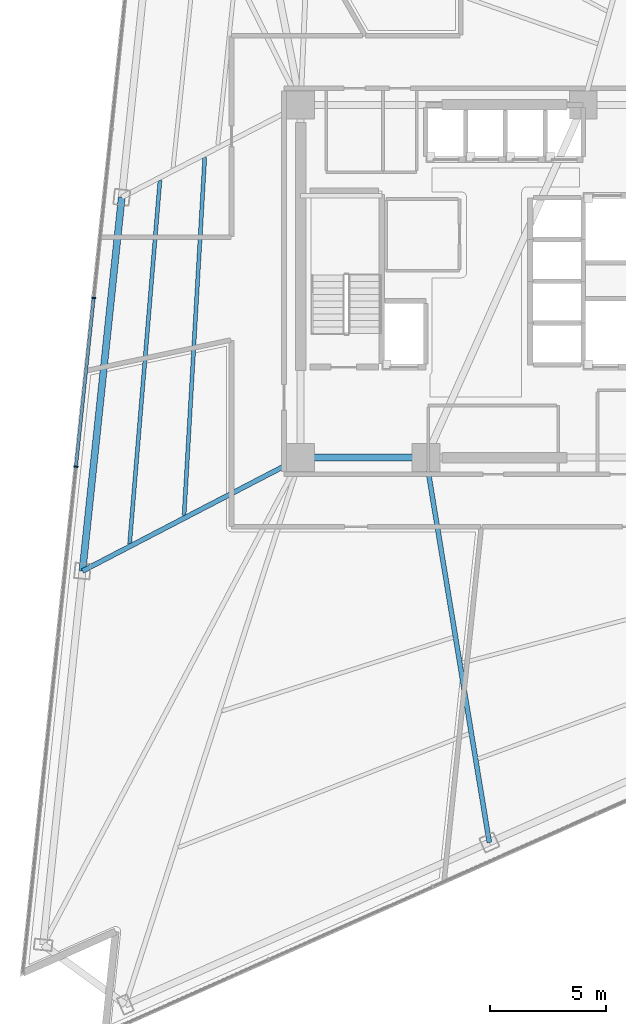
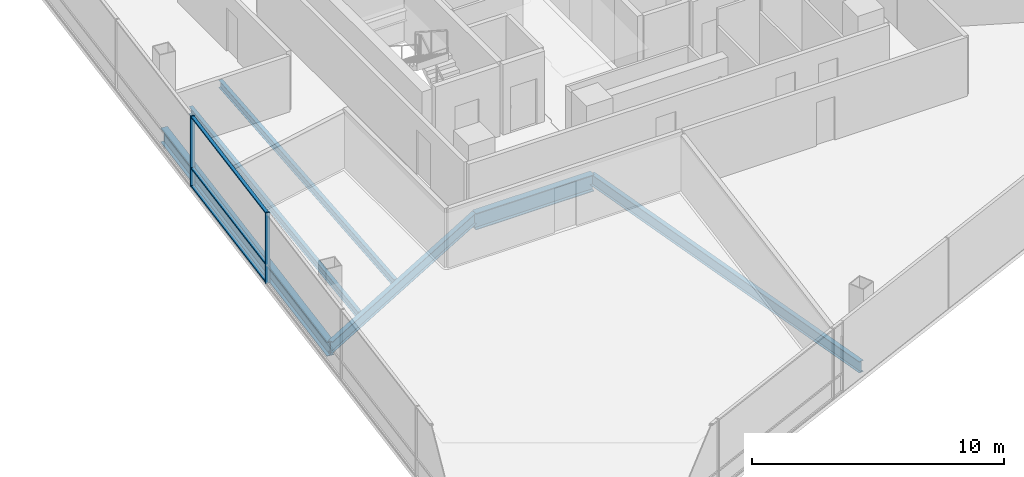
# One storey, part 4 of 16: 6 beams, 5 members, 1 element without a shape of its own.
"""IFC4 building model written with IfcOpenShell, lengths in metres."""

from ifc_helpers import new_model, si_unit, direction, frame, origin, origin_2d, place, context, subcontext, project, spatial, rectangle, i_section, extrude, material, layer, layer_set, material_profile, profile_set, type_object, element, aggregate, save


model = new_model("IFC4")

# Units and contexts
model_context = context("Model", 3, precision=1e-05, world=origin(), true_north=direction((0.0, 1.0)))
body_context = subcontext(model_context, "Body", "Model", "MODEL_VIEW")
ifc_project = project(units=[si_unit("LENGTHUNIT", "METRE"), si_unit("AREAUNIT", "SQUARE_METRE"), si_unit("VOLUMEUNIT", "CUBIC_METRE"), si_unit("PLANEANGLEUNIT", "RADIAN"), si_unit("MASSUNIT", "GRAM", prefix="KILO")], contexts=[model_context])

# Site, building, storey
site_placement = place(None, origin())
site = spatial("IfcSite", under=ifc_project, at=site_placement, CompositionType="ELEMENT")
building_placement = place(site_placement, origin())
building = spatial("IfcBuilding", under=site, at=building_placement, Name="Tharavind Bronze Gate", CompositionType="ELEMENT")
storey_placement = place(building_placement, frame((0.0, 0.0, 130.449951171875)))
storey = spatial("IfcBuildingStorey", under=building, at=storey_placement, Name="L33", CompositionType="ELEMENT", Elevation=130.449951171875)

# Curtain wall, members
ifc_material_1 = material(Name="Anodised Bronze Aluminium", Category="aluminium")
ifc_layer = layer(ifc_material_1, 0.219970703125)
ifc_layer_set = layer_set([ifc_layer], Name="Anodised Bronze Aluminium")
curtain_wall_type = type_object("IfcCurtainWallType", Name="UNITISED CURTAIN WALL LOWER OFFICE", PredefinedType="USERDEFINED", material=ifc_layer_set)
curtain_wall_placement = place(storey_placement, origin())
curtain_wall = element("IfcCurtainWall", 1, at=curtain_wall_placement, inside=storey, type_object=curtain_wall_type, Name="L33 unitised curtain wall lower office CW-L33-S1", ObjectType="UNITISED CURTAIN WALL", PredefinedType="USERDEFINED")
member_type_1 = type_object("IfcMemberType", Name="CURTAIN WALL BRONZE MULLION 65X180", PredefinedType="MULLION", material=ifc_material_1)
member_1_placement = place(storey_placement, frame((-17.82080078125, -0.71826171875, 0.0), z_axis=(0.0, 0.0, 1.0), x_axis=(-0.104526727499, -0.994522077803, 0.0)))
member_1 = element("IfcMember", 2, at=member_1_placement, type_object=member_type_1, Name="CW-L33-S1 mullion 4", PredefinedType="MULLION", context=body_context, shape_type="SweptSolid", body=[
    extrude(rectangle(XDim=0.06494140625, YDim=0.179931640625, at=origin_2d()), origin(), (0.0, 0.0, 1.0), 3.409912109375),
])
member_2_placement = place(storey_placement, frame((-18.58544921875, -7.991455078125, 0.0), z_axis=(0.0, 0.0, 1.0), x_axis=(-0.104526727499, -0.994522077803, 0.0)))
member_2 = element("IfcMember", 3, at=member_2_placement, type_object=member_type_1, Name="CW-L33-S1 mullion 5", PredefinedType="MULLION", context=body_context, shape_type="SweptSolid", body=[
    extrude(rectangle(XDim=0.06494140625, YDim=0.179931640625, at=origin_2d()), origin(), (0.0, 0.0, 1.0), 3.409912109375),
])
member_type_2 = type_object("IfcMemberType", Name="CURTAIN WALL BRONZE TRANSOM 65X140", PredefinedType="USERDEFINED", material=ifc_material_1)
member_3_placement = place(storey_placement, frame((-18.203125, -4.354736328125, 0.0), z_axis=(0.0, 0.0, 1.0), x_axis=(-0.104526727499, -0.994522077803, 0.0)))
member_3 = element("IfcMember", 4, at=member_3_placement, type_object=member_type_2, Name="CW-L33-S1 transom TB4", ObjectType="TRANSOM", PredefinedType="USERDEFINED", context=body_context, shape_type="SweptSolid", body=[
    extrude(rectangle(XDim=7.26025390625, YDim=0.139892578125, at=origin_2d()), origin(), (0.0, 0.0, 1.0), 0.06494140625),
])
member_4_placement = place(storey_placement, frame((-18.203125, -4.354736328125, 0.86767578125), z_axis=(0.0, 0.0, 1.0), x_axis=(-0.104526727499, -0.994522077803, 0.0)))
member_4 = element("IfcMember", 5, at=member_4_placement, type_object=member_type_2, Name="CW-L33-S1 transom TS4", ObjectType="TRANSOM", PredefinedType="USERDEFINED", context=body_context, shape_type="SweptSolid", body=[
    extrude(rectangle(XDim=7.26025390625, YDim=0.139892578125, at=origin_2d()), origin(), (0.0, 0.0, 1.0), 0.06494140625),
])
member_5_placement = place(storey_placement, frame((-18.203125, -4.354736328125, 3.344970703125), z_axis=(0.0, 0.0, 1.0), x_axis=(-0.104526727499, -0.994522077803, 0.0)))
member_5 = element("IfcMember", 6, at=member_5_placement, type_object=member_type_2, Name="CW-L33-S1 transom TT4", ObjectType="TRANSOM", PredefinedType="USERDEFINED", context=body_context, shape_type="SweptSolid", body=[
    extrude(rectangle(XDim=7.26025390625, YDim=0.139892578125, at=origin_2d()), origin(), (0.0, 0.0, 1.0), 0.06494140625),
])
aggregate(curtain_wall, [member_1, member_2, member_3, member_4, member_5])

# Beams
ifc_material_2 = material(Name="Steel S355", Category="steel")
ifc_material_profile_1 = material_profile(ifc_material_2, i_section(OverallWidth=0.2099609375, OverallDepth=0.550048828125, WebThickness=0.010986328125, FlangeThickness=0.01708984375, at=origin_2d()), Name="IPE550")
ifc_profile_set_1 = profile_set([ifc_material_profile_1], Name="Steel S355")
beam_type_1 = type_object("IfcBeamType", Name="PRIMARY GIRDER IPE550", PredefinedType="USERDEFINED", material=ifc_profile_set_1)
beam_1_placement = place(storey_placement, frame((-18.303955078125, -12.488037109375, -0.46484375), z_axis=(0.887300514785, 0.46119171335, 0.0), x_axis=(-0.46119171335, 0.887300514785, 0.0)))
element("IfcBeam", 7, at=beam_1_placement, inside=storey, type_object=beam_type_1, Name="L33 primary girder ipe550 BM-L33-RAD03", ObjectType="GIRDER", PredefinedType="USERDEFINED", context=body_context, shape_type="SweptSolid", body=[
    extrude(i_section(OverallWidth=0.2099609375, OverallDepth=0.550048828125, WebThickness=0.010986328125, FlangeThickness=0.01708984375, at=origin_2d()), origin(), (0.0, 0.0, 1.0), 10.598388671875),
])
beam_2_placement = place(storey_placement, frame((-0.766357421875, -24.18798828125, -0.46484375), z_axis=(-0.162604251404, 0.986691368882, 0.0), x_axis=(-0.986691368882, -0.162604251404, 0.0)))
element("IfcBeam", 8, at=beam_2_placement, inside=storey, type_object=beam_type_1, Name="L33 primary girder ipe550 BM-L33-RAD06", ObjectType="GIRDER", PredefinedType="USERDEFINED", context=body_context, shape_type="SweptSolid", body=[
    extrude(i_section(OverallWidth=0.2099609375, OverallDepth=0.550048828125, WebThickness=0.010986328125, FlangeThickness=0.01708984375, at=origin_2d()), origin(), (0.0, 0.0, 1.0), 16.8115234375),
])
ifc_material_profile_2 = material_profile(ifc_material_2, i_section(OverallWidth=0.300048828125, OverallDepth=0.699951171875, WebThickness=0.01708984375, FlangeThickness=0.031982421875, at=origin_2d()), Name="HE700B")
ifc_profile_set_2 = profile_set([ifc_material_profile_2], Name="Steel S355")
beam_type_2 = type_object("IfcBeamType", Name="RING GIRDER HE700B", PredefinedType="USERDEFINED", material=ifc_profile_set_2)
beam_3_placement = place(storey_placement, frame((-16.610595703125, 3.62158203125, -0.5400390625), z_axis=(-0.104538854147, -0.994520803188, 0.0), x_axis=(0.994520803188, -0.104538854147, 0.0)))
element("IfcBeam", 9, at=beam_3_placement, inside=storey, type_object=beam_type_2, Name="L33 ring girder he700b BM-L33-PRG02", ObjectType="GIRDER", PredefinedType="USERDEFINED", context=body_context, shape_type="SweptSolid", body=[
    extrude(i_section(OverallWidth=0.300048828125, OverallDepth=0.699951171875, WebThickness=0.01708984375, FlangeThickness=0.031982421875, at=origin_2d()), origin(), (0.0, 0.0, 1.0), 16.198486328125),
])
ifc_material_profile_3 = material_profile(ifc_material_2, i_section(OverallWidth=0.300048828125, OverallDepth=0.800048828125, WebThickness=0.017578125, FlangeThickness=0.032958984375, at=origin_2d()), Name="HE800B")
ifc_profile_set_3 = profile_set([ifc_material_profile_3], Name="Steel S355")
beam_type_3 = type_object("IfcBeamType", Name="RING GIRDER HE800B", PredefinedType="USERDEFINED", material=ifc_profile_set_3)
beam_4_placement = place(storey_placement, frame((-8.89990234375, -7.60009765625, -0.58984375), z_axis=(1.0, 0.0, 0.0), x_axis=(0.0, 1.0, 0.0)))
element("IfcBeam", 10, at=beam_4_placement, inside=storey, type_object=beam_type_3, Name="L33 ring girder he800b BM-L33-CR1", ObjectType="GIRDER", PredefinedType="USERDEFINED", context=body_context, shape_type="SweptSolid", body=[
    extrude(i_section(OverallWidth=0.300048828125, OverallDepth=0.800048828125, WebThickness=0.017578125, FlangeThickness=0.032958984375, at=origin_2d()), origin(), (0.0, 0.0, 1.0), 5.39990234375),
])
ifc_material_profile_4 = material_profile(ifc_material_2, i_section(OverallWidth=0.169921875, OverallDepth=0.360107421875, WebThickness=0.008056640625, FlangeThickness=0.0126953125, at=origin_2d()), Name="IPE360")
ifc_profile_set_4 = profile_set([ifc_material_profile_4], Name="Steel S355")
beam_type_4 = type_object("IfcBeamType", Name="SECONDARY FLOOR JOIST IPE360", PredefinedType="JOIST", material=ifc_profile_set_4)
beam_5_placement = place(storey_placement, frame((-13.032470703125, 5.345703125, -0.369873046875), z_axis=(-0.057653739609, -0.998336639771, 0.0), x_axis=(0.998336639771, -0.057653739609, 0.0)))
element("IfcBeam", 11, at=beam_5_placement, inside=storey, type_object=beam_type_4, Name="L33 secondary floor joist ipe360 BM-L33-JSTA02", PredefinedType="JOIST", context=body_context, shape_type="SweptSolid", body=[
    extrude(i_section(OverallWidth=0.169921875, OverallDepth=0.360107421875, WebThickness=0.008056640625, FlangeThickness=0.0126953125, at=origin_2d()), origin(), (0.0, 0.0, 1.0), 15.46044921875),
])
beam_6_placement = place(storey_placement, frame((-14.96337890625, 4.349609375, -0.369873046875), z_axis=(-0.083246063349, -0.996529022626, 0.0), x_axis=(0.996529022626, -0.083246063349, 0.0)))
element("IfcBeam", 12, at=beam_6_placement, inside=storey, type_object=beam_type_4, Name="L33 secondary floor joist ipe360 BM-L33-JSTB02", PredefinedType="JOIST", context=body_context, shape_type="SweptSolid", body=[
    extrude(i_section(OverallWidth=0.169921875, OverallDepth=0.360107421875, WebThickness=0.008056640625, FlangeThickness=0.0126953125, at=origin_2d()), origin(), (0.0, 0.0, 1.0), 15.713623046875),
])

save(model, "model.ifc")
